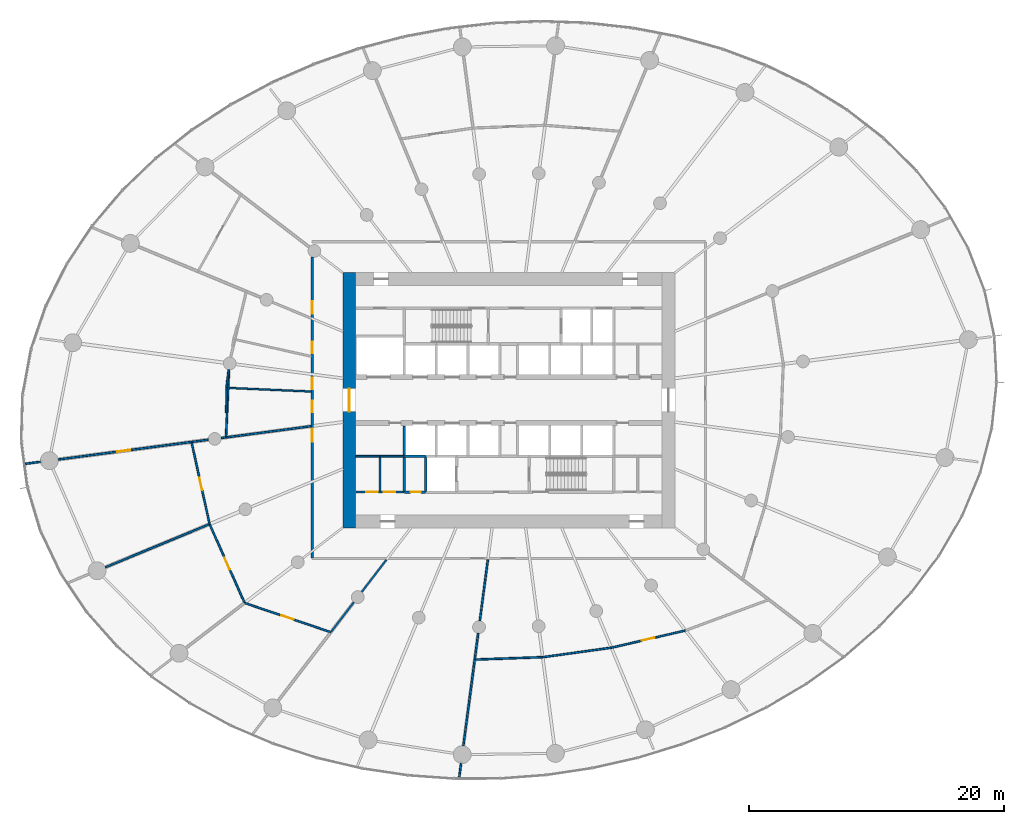
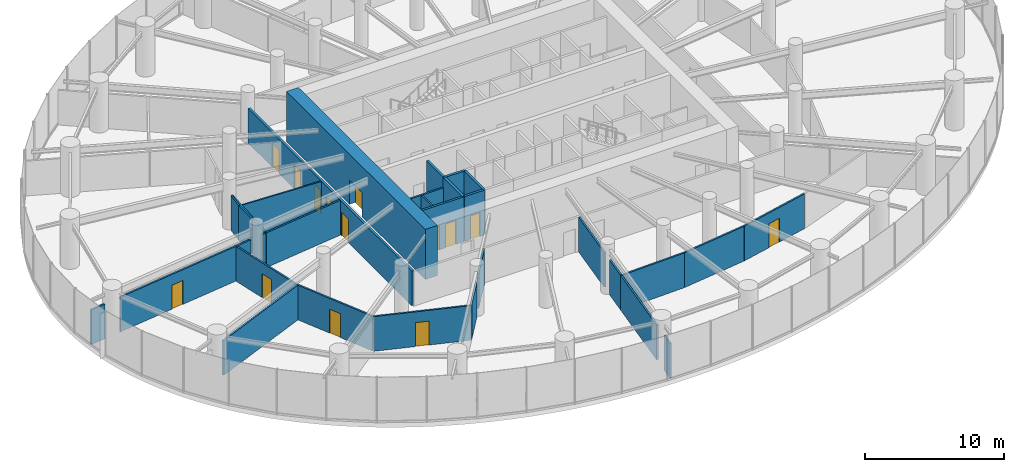
# One storey, part 11 of 18: 33 walls, 14 doors, 14 openings.
"""IFC4 building model written with IfcOpenShell, lengths in metres."""

from ifc_helpers import new_model, si_unit, direction, frame, frame_2d, origin, place, context, subcontext, project, spatial, rectangle, extrude, source, transform, mapped, material, layer, layer_set, type_object, element, fill, save


model = new_model("IFC4")

# Units and contexts
model_context = context("Model", 3, precision=1e-05, world=origin(), true_north=direction((0.0, 1.0)))
body_context = subcontext(model_context, "Body", "Model", "MODEL_VIEW")
ifc_project = project(units=[si_unit("LENGTHUNIT", "METRE"), si_unit("AREAUNIT", "SQUARE_METRE"), si_unit("VOLUMEUNIT", "CUBIC_METRE"), si_unit("PLANEANGLEUNIT", "RADIAN"), si_unit("MASSUNIT", "GRAM", prefix="KILO")], contexts=[model_context])

# Site, building, storey
site_placement = place(None, origin())
site = spatial("IfcSite", under=ifc_project, at=site_placement, CompositionType="ELEMENT")
building_placement = place(site_placement, origin())
building = spatial("IfcBuilding", under=site, at=building_placement, Name="Spindrift Exchange Tower", CompositionType="ELEMENT")
storey_placement = place(building_placement, frame((0.0, 0.0, 40.199951171875)))
storey = spatial("IfcBuildingStorey", under=building, at=storey_placement, Name="L09", CompositionType="ELEMENT", Elevation=40.199951171875)

# Wall, opening, door
ifc_material_1 = material(Name="Concrete 80 MPa", Category="concrete")
ifc_layer_1 = layer(ifc_material_1, 1.0)
ifc_layer_set_1 = layer_set([ifc_layer_1], Name="RC Core Wall 1000 Concrete 80 MPa")
wall_type_1 = type_object("IfcWallType", Name="RC Core Wall 1000 Concrete 80 MPa", PredefinedType="SHEAR", material=ifc_layer_set_1)
wall_1_placement = place(storey_placement, frame((39.5, 58.0, 0.0), z_axis=(0.0, 0.0, 1.0), x_axis=(0.0, -1.0, 0.0)))
wall_1 = element("IfcWall", 1, at=wall_1_placement, inside=storey, type_object=wall_type_1, Name="Core wall W L09", PredefinedType="SHEAR", context=body_context, shape_type="SweptSolid", body=[
    extrude(rectangle(XDim=20.0, YDim=1.0, at=frame_2d((10.0, 0.0))), origin(), (0.0, 0.0, 1.0), 4.400146484375),
])
opening_1_placement = place(wall_1_placement, frame((9.10009765625, 0.0, 0.0)))
opening_1 = element("IfcOpeningElement", 2, at=opening_1_placement, cuts=wall_1, Name="Opening L09-D1", PredefinedType="OPENING", context=body_context, shape_type="SweptSolid", body=[
    extrude(rectangle(XDim=1.800048828125, YDim=2.10009765625, at=frame_2d((0.89990234375, 1.050048828125))), frame((0.0, 0.510009765625, 0.0), z_axis=(0.0, -1.0, 0.0), x_axis=(1.0, 0.0, 0.0)), (0.0, 0.0, 1.0), 1.02001953125),
])
ifc_material_2 = material(Name="Timber-core fire door", Category="wood")
door_type_1 = type_object("IfcDoorType", Name="DR-LOBBY-1800", OperationType="NOTDEFINED", PredefinedType="DOOR", material=ifc_material_2)
shared_shape_1 = source(origin(), body_context, "Body", "SweptSolid", [
    extrude(rectangle(XDim=1.800048828125, YDim=2.10009765625, at=frame_2d((0.89990234375, 1.050048828125))), frame((0.0, 0.02490234375, 0.0), z_axis=(0.0, -1.0, 0.0), x_axis=(1.0, 0.0, 0.0)), (0.0, 0.0, 1.0), 0.050048828125),
])
door_1_placement = place(opening_1_placement, origin())
door_1 = element("IfcDoor", 3, at=door_1_placement, inside=storey, type_object=door_type_1, Name="L09 Lobby door 1", OperationType="SINGLE_SWING_RIGHT", OverallHeight=2.10009765625, OverallWidth=1.800048828125, PredefinedType="DOOR", context=body_context, shape_type="MappedRepresentation", body=[
    mapped(shared_shape_1, transform((0.0, 0.0, 0.0), scale=1.0)),
])
fill(opening_1, door_1)

# Wall, openings, doors
ifc_material_3 = material(Name="Fire-rated plasterboard partition", Category="gypsum")
ifc_layer_2 = layer(ifc_material_3, 0.179931640625)
ifc_layer_set_2 = layer_set([ifc_layer_2], Name="W-CORR-180")
wall_type_2 = type_object("IfcWallType", Name="W-CORR-180", PredefinedType="PARTITIONING", material=ifc_layer_set_2)
wall_2_placement = place(storey_placement, frame((40.02001953125, 40.800048828125, 0.0), z_axis=(0.0, 0.0, 1.0), x_axis=(1.0, 0.0, 0.0)))
wall_2 = element("IfcWall", 4, at=wall_2_placement, inside=storey, type_object=wall_type_2, Name="L09 Partition wall 61", PredefinedType="PARTITIONING", context=body_context, shape_type="SweptSolid", body=[
    extrude(rectangle(XDim=3.75, YDim=0.179931640625, at=frame_2d((1.875, 0.0))), origin(), (0.0, 0.0, 1.0), 3.949951171875),
])
opening_2_placement = place(wall_2_placement, frame((0.800048828125, 0.0, 0.0)))
opening_2 = element("IfcOpeningElement", 5, at=opening_2_placement, cuts=wall_2, Name="Opening L09-D46", PredefinedType="OPENING", context=body_context, shape_type="SweptSolid", body=[
    extrude(rectangle(XDim=0.89990234375, YDim=2.10009765625, at=frame_2d((0.449951171875, 1.050048828125))), frame((0.0, 0.099853515625, 0.0), z_axis=(0.0, -1.0, 0.0), x_axis=(1.0, 0.0, 0.0)), (0.0, 0.0, 1.0), 0.199951171875),
])
opening_3_placement = place(wall_2_placement, frame((2.199951171875, 0.0, 0.0)))
opening_3 = element("IfcOpeningElement", 6, at=opening_3_placement, cuts=wall_2, Name="Opening L09-D47", PredefinedType="OPENING", context=body_context, shape_type="SweptSolid", body=[
    extrude(rectangle(XDim=0.89990234375, YDim=2.10009765625, at=frame_2d((0.449951171875, 1.050048828125))), frame((0.0, 0.099853515625, 0.0), z_axis=(0.0, -1.0, 0.0), x_axis=(1.0, 0.0, 0.0)), (0.0, 0.0, 1.0), 0.199951171875),
])
ifc_material_4 = material(Name="Steel access door", Category="steel")
door_type_2 = type_object("IfcDoorType", Name="DR-RISER-900", OperationType="NOTDEFINED", PredefinedType="DOOR", material=ifc_material_4)
shared_shape_2 = source(origin(), body_context, "Body", "SweptSolid", [
    extrude(rectangle(XDim=0.89990234375, YDim=2.10009765625, at=frame_2d((0.449951171875, 1.050048828125))), frame((0.0, 0.02490234375, 0.0), z_axis=(0.0, -1.0, 0.0), x_axis=(1.0, 0.0, 0.0)), (0.0, 0.0, 1.0), 0.050048828125),
])
door_2_placement = place(opening_2_placement, origin())
door_2 = element("IfcDoor", 7, at=door_2_placement, inside=storey, type_object=door_type_2, Name="L09 Riser door 46", OperationType="SINGLE_SWING_LEFT", OverallHeight=2.10009765625, OverallWidth=0.89990234375, PredefinedType="DOOR", context=body_context, shape_type="MappedRepresentation", body=[
    mapped(shared_shape_2, transform((0.0, 0.0, 0.0), scale=1.0)),
])
fill(opening_2, door_2)
door_3_placement = place(opening_3_placement, origin())
door_3 = element("IfcDoor", 8, at=door_3_placement, inside=storey, type_object=door_type_2, Name="L09 Riser door 47", OperationType="SINGLE_SWING_RIGHT", OverallHeight=2.10009765625, OverallWidth=0.89990234375, PredefinedType="DOOR", context=body_context, shape_type="MappedRepresentation", body=[
    mapped(shared_shape_2, transform((0.0, 0.0, 0.0), scale=1.0)),
])
fill(opening_3, door_3)

# Wall, opening, door
ifc_layer_3 = layer(ifc_material_3, 0.139892578125)
ifc_layer_set_3 = layer_set([ifc_layer_3], Name="W-PART-140")
wall_type_3 = type_object("IfcWallType", Name="W-PART-140", PredefinedType="PARTITIONING", material=ifc_layer_set_3)
wall_3_placement = place(storey_placement, frame((16.707763671875, 43.353759765625, 0.0), z_axis=(0.0, 0.0, 1.0), x_axis=(0.991445294361, 0.130522903314, 0.0)))
wall_3 = element("IfcWall", 9, at=wall_3_placement, inside=storey, type_object=wall_type_3, Name="L09 Partition wall 66", PredefinedType="PARTITIONING", context=body_context, shape_type="SweptSolid", body=[
    extrude(rectangle(XDim=10.527099609375, YDim=0.139892578125, at=frame_2d((5.263671875, 0.0))), origin(), (0.0, 0.0, 1.0), 3.050048828125),
])
opening_4_placement = place(wall_3_placement, frame((4.677001953125, 0.0, 0.0)))
opening_4 = element("IfcOpeningElement", 10, at=opening_4_placement, cuts=wall_3, Name="Opening L09-D31", PredefinedType="OPENING", context=body_context, shape_type="SweptSolid", body=[
    extrude(rectangle(XDim=1.0, YDim=2.10009765625, at=frame_2d((0.5, 1.050048828125))), frame((0.0, 0.079833984375, 0.0), z_axis=(0.0, -1.0, 0.0), x_axis=(1.0, 0.0, 0.0)), (0.0, 0.0, 1.0), 0.159912109375),
])
door_type_3 = type_object("IfcDoorType", Name="DR-ROOM-1000", OperationType="NOTDEFINED", PredefinedType="DOOR", material=ifc_material_2)
shared_shape_3 = source(origin(), body_context, "Body", "SweptSolid", [
    extrude(rectangle(XDim=1.0, YDim=2.10009765625, at=frame_2d((0.5, 1.050048828125))), frame((0.0, 0.02490234375, 0.0), z_axis=(0.0, -1.0, 0.0), x_axis=(1.0, 0.0, 0.0)), (0.0, 0.0, 1.0), 0.050048828125),
])
door_4_placement = place(opening_4_placement, origin())
door_4 = element("IfcDoor", 11, at=door_4_placement, inside=storey, type_object=door_type_3, Name="L09 Door 31", OperationType="SINGLE_SWING_RIGHT", OverallHeight=2.10009765625, OverallWidth=1.0, PredefinedType="DOOR", context=body_context, shape_type="MappedRepresentation", body=[
    mapped(shared_shape_3, transform((0.0, 0.0, 0.0), scale=1.0)),
])
fill(opening_4, door_4)

# Wall
wall_4_placement = place(storey_placement, frame((28.56201171875, 38.291748046875, 0.0), z_axis=(0.0, 0.0, 1.0), x_axis=(-0.923878024318, -0.382687073445, 0.0)))
element("IfcWall", 12, at=wall_4_placement, inside=storey, type_object=wall_type_3, Name="L09 Partition wall 67", PredefinedType="PARTITIONING", context=body_context, shape_type="SweptSolid", body=[
    extrude(rectangle(XDim=8.83203125, YDim=0.139892578125, at=frame_2d((4.416015625, 0.0))), origin(), (0.0, 0.0, 1.0), 3.050048828125),
])

# Wall, opening, door
wall_5_placement = place(storey_placement, frame((38.054931640625, 29.826416015625, 0.0), z_axis=(0.0, 0.0, 1.0), x_axis=(-0.946877260645, 0.321595169854, 0.0)))
wall_5 = element("IfcWall", 13, at=wall_5_placement, inside=storey, type_object=wall_type_3, Name="L09 Partition wall 68", PredefinedType="PARTITIONING", context=body_context, shape_type="SweptSolid", body=[
    extrude(rectangle(XDim=7.1298828125, YDim=0.139892578125, at=frame_2d((3.56494140625, 0.0))), origin(), (0.0, 0.0, 1.0), 3.050048828125),
])
opening_5_placement = place(wall_5_placement, frame((3.079833984375, 0.0, 0.0)))
opening_5 = element("IfcOpeningElement", 14, at=opening_5_placement, cuts=wall_5, Name="Opening L09-D30", PredefinedType="OPENING", context=body_context, shape_type="SweptSolid", body=[
    extrude(rectangle(XDim=1.0, YDim=2.10009765625, at=frame_2d((0.5, 1.050048828125))), frame((0.0, 0.079833984375, 0.0), z_axis=(0.0, -1.0, 0.0), x_axis=(1.0, 0.0, 0.0)), (0.0, 0.0, 1.0), 0.159912109375),
])
door_5_placement = place(opening_5_placement, origin())
door_5 = element("IfcDoor", 15, at=door_5_placement, inside=storey, type_object=door_type_3, Name="L09 Door 30", OperationType="SINGLE_SWING_LEFT", OverallHeight=2.10009765625, OverallWidth=1.0, PredefinedType="DOOR", context=body_context, shape_type="MappedRepresentation", body=[
    mapped(shared_shape_3, transform((0.0, 0.0, 0.0), scale=1.0)),
])
fill(opening_5, door_5)

# Walls
wall_6_placement = place(storey_placement, frame((36.510009765625, 45.960693359375, 0.0), z_axis=(0.0, 0.0, 1.0), x_axis=(-0.991446999642, -0.130509949431, 0.0)))
element("IfcWall", 16, at=wall_6_placement, inside=storey, type_object=wall_type_3, Name="L09 Partition wall 71", PredefinedType="PARTITIONING", context=body_context, shape_type="SweptSolid", body=[
    extrude(rectangle(XDim=6.72119140625, YDim=0.139892578125, at=frame_2d((3.360595703125, 0.0))), origin(), (0.0, 0.0, 1.0), 3.050048828125),
])
wall_7_placement = place(storey_placement, frame((49.3251953125, 27.6826171875, 0.0), z_axis=(0.0, 0.0, 1.0), x_axis=(-0.130537120315, -0.991443422602, 0.0)))
element("IfcWall", 17, at=wall_7_placement, inside=storey, type_object=wall_type_3, Name="L09 Partition wall 72", PredefinedType="PARTITIONING", context=body_context, shape_type="SweptSolid", body=[
    extrude(rectangle(XDim=6.803955078125, YDim=0.139892578125, at=frame_2d((3.40185546875, 0.0))), origin(), (0.0, 0.0, 1.0), 3.050048828125),
])

# Wall, opening, door
wall_8_placement = place(storey_placement, frame((31.29150390625, 32.146484375, 0.0), z_axis=(0.0, 0.0, 1.0), x_axis=(-0.40591511996, 0.913910780869, 0.0)))
wall_8 = element("IfcWall", 18, at=wall_8_placement, inside=storey, type_object=wall_type_3, Name="L09 Partition wall 74", PredefinedType="PARTITIONING", context=body_context, shape_type="SweptSolid", body=[
    extrude(rectangle(XDim=6.6943359375, YDim=0.139892578125, at=frame_2d((3.34716796875, 0.0))), origin(), (0.0, 0.0, 1.0), 3.050048828125),
])
opening_6_placement = place(wall_8_placement, frame((2.843994140625, 0.0, 0.0)))
opening_6 = element("IfcOpeningElement", 19, at=opening_6_placement, cuts=wall_8, Name="Opening L09-D29", PredefinedType="OPENING", context=body_context, shape_type="SweptSolid", body=[
    extrude(rectangle(XDim=1.0, YDim=2.10009765625, at=frame_2d((0.5, 1.050048828125))), frame((0.0, 0.079833984375, 0.0), z_axis=(0.0, -1.0, 0.0), x_axis=(1.0, 0.0, 0.0)), (0.0, 0.0, 1.0), 0.159912109375),
])
door_6_placement = place(opening_6_placement, origin())
door_6 = element("IfcDoor", 20, at=door_6_placement, inside=storey, type_object=door_type_3, Name="L09 Door 29", OperationType="SINGLE_SWING_RIGHT", OverallHeight=2.10009765625, OverallWidth=1.0, PredefinedType="DOOR", context=body_context, shape_type="MappedRepresentation", body=[
    mapped(shared_shape_3, transform((0.0, 0.0, 0.0), scale=1.0)),
])
fill(opening_6, door_6)

wall_9_placement = place(storey_placement, frame((28.5556640625, 38.321044921875, 0.0), z_axis=(0.0, 0.0, 1.0), x_axis=(-0.21508144295, 0.976596115546, 0.0)))
wall_9 = element("IfcWall", 21, at=wall_9_placement, inside=storey, type_object=wall_type_3, Name="L09 Partition wall 76", PredefinedType="PARTITIONING", context=body_context, shape_type="SweptSolid", body=[
    extrude(rectangle(XDim=6.5302734375, YDim=0.139892578125, at=frame_2d((3.26513671875, 0.0))), origin(), (0.0, 0.0, 1.0), 3.050048828125),
])
opening_7_placement = place(wall_9_placement, frame((2.680419921875, 0.0, 0.0)))
opening_7 = element("IfcOpeningElement", 22, at=opening_7_placement, cuts=wall_9, Name="Opening L09-D28", PredefinedType="OPENING", context=body_context, shape_type="SweptSolid", body=[
    extrude(rectangle(XDim=1.0, YDim=2.10009765625, at=frame_2d((0.5, 1.050048828125))), frame((0.0, 0.079833984375, 0.0), z_axis=(0.0, -1.0, 0.0), x_axis=(1.0, 0.0, 0.0)), (0.0, 0.0, 1.0), 0.159912109375),
])
door_7_placement = place(opening_7_placement, origin())
door_7 = element("IfcDoor", 23, at=door_7_placement, inside=storey, type_object=door_type_3, Name="L09 Door 28", OperationType="SINGLE_SWING_LEFT", OverallHeight=2.10009765625, OverallWidth=1.0, PredefinedType="DOOR", context=body_context, shape_type="MappedRepresentation", body=[
    mapped(shared_shape_3, transform((0.0, 0.0, 0.0), scale=1.0)),
])
fill(opening_7, door_7)

wall_10_placement = place(storey_placement, frame((65.810302734375, 29.95703125, 0.0), z_axis=(0.0, 0.0, 1.0), x_axis=(-0.974024489501, -0.226442694412, 0.0)))
wall_10 = element("IfcWall", 24, at=wall_10_placement, inside=storey, type_object=wall_type_3, Name="L09 Partition wall 78", PredefinedType="PARTITIONING", context=body_context, shape_type="SweptSolid", body=[
    extrude(rectangle(XDim=5.93408203125, YDim=0.139892578125, at=frame_2d((2.967041015625, 0.0))), origin(), (0.0, 0.0, 1.0), 3.050048828125),
])
opening_8_placement = place(wall_10_placement, frame((2.484375, 0.0, 0.0)))
opening_8 = element("IfcOpeningElement", 25, at=opening_8_placement, cuts=wall_10, Name="Opening L09-D34", PredefinedType="OPENING", context=body_context, shape_type="SweptSolid", body=[
    extrude(rectangle(XDim=1.0, YDim=2.10009765625, at=frame_2d((0.5, 1.050048828125))), frame((0.0, 0.079833984375, 0.0), z_axis=(0.0, -1.0, 0.0), x_axis=(1.0, 0.0, 0.0)), (0.0, 0.0, 1.0), 0.159912109375),
])
door_8_placement = place(opening_8_placement, origin())
door_8 = element("IfcDoor", 26, at=door_8_placement, inside=storey, type_object=door_type_3, Name="L09 Door 34", OperationType="SINGLE_SWING_LEFT", OverallHeight=2.10009765625, OverallWidth=1.0, PredefinedType="DOOR", context=body_context, shape_type="MappedRepresentation", body=[
    mapped(shared_shape_3, transform((0.0, 0.0, 0.0), scale=1.0)),
])
fill(opening_8, door_8)

# Walls
wall_11_placement = place(storey_placement, frame((54.64990234375, 27.871337890625, 0.0), z_axis=(0.0, 0.0, 1.0), x_axis=(0.990620496316, 0.13664198578, 0.0)))
element("IfcWall", 27, at=wall_11_placement, inside=storey, type_object=wall_type_3, Name="L09 Partition wall 87", PredefinedType="PARTITIONING", context=body_context, shape_type="SweptSolid", body=[
    extrude(rectangle(XDim=5.4013671875, YDim=0.139892578125, at=frame_2d((2.70068359375, 0.0))), origin(), (0.0, 0.0, 1.0), 3.050048828125),
])
wall_12_placement = place(storey_placement, frame((49.35498046875, 27.68359375, 0.0), z_axis=(0.0, 0.0, 1.0), x_axis=(0.999371443886, 0.035450206555, 0.0)))
element("IfcWall", 28, at=wall_12_placement, inside=storey, type_object=wall_type_3, Name="L09 Partition wall 88", PredefinedType="PARTITIONING", context=body_context, shape_type="SweptSolid", body=[
    extrude(rectangle(XDim=5.2685546875, YDim=0.139892578125, at=frame_2d((2.63427734375, 0.0))), origin(), (0.0, 0.0, 1.0), 3.050048828125),
])
wall_13_placement = place(storey_placement, frame((30.080078125, 50.376708984375, 0.0), z_axis=(0.0, 0.0, 1.0), x_axis=(-0.044134411389, -0.99902560214, 0.0)))
element("IfcWall", 29, at=wall_13_placement, inside=storey, type_object=wall_type_3, Name="L09 Partition wall 90", PredefinedType="PARTITIONING", context=body_context, shape_type="SweptSolid", body=[
    extrude(rectangle(XDim=5.2275390625, YDim=0.139892578125, at=frame_2d((2.61376953125, 0.0))), origin(), (0.0, 0.0, 1.0), 3.050048828125),
])
wall_14_placement = place(storey_placement, frame((50.355712890625, 35.510009765625, 0.0), z_axis=(0.0, 0.0, 1.0), x_axis=(-0.130523979823, -0.991445152639, 0.0)))
element("IfcWall", 30, at=wall_14_placement, inside=storey, type_object=wall_type_3, Name="L09 Partition wall 96", PredefinedType="PARTITIONING", context=body_context, shape_type="SweptSolid", body=[
    extrude(rectangle(XDim=4.818359375, YDim=0.139892578125, at=frame_2d((2.4091796875, 0.0))), origin(), (0.0, 0.0, 1.0), 3.050048828125),
])
wall_15_placement = place(storey_placement, frame((42.416015625, 35.510009765625, 0.0), z_axis=(0.0, 0.0, 1.0), x_axis=(-0.60874605662, -0.793365135703, 0.0)))
element("IfcWall", 31, at=wall_15_placement, inside=storey, type_object=wall_type_3, Name="L09 Partition wall 105", PredefinedType="PARTITIONING", context=body_context, shape_type="SweptSolid", body=[
    extrude(rectangle(XDim=3.193603515625, YDim=0.139892578125, at=frame_2d((1.5966796875, 0.0))), origin(), (0.0, 0.0, 1.0), 3.050048828125),
])
wall_16_placement = place(storey_placement, frame((39.85791015625, 32.176025390625, 0.0), z_axis=(0.0, 0.0, 1.0), x_axis=(-0.608796847525, -0.793326161452, 0.0)))
element("IfcWall", 32, at=wall_16_placement, inside=storey, type_object=wall_type_3, Name="L09 Partition wall 106", PredefinedType="PARTITIONING", context=body_context, shape_type="SweptSolid", body=[
    extrude(rectangle(XDim=2.931884765625, YDim=0.139892578125, at=frame_2d((1.4658203125, 0.0))), origin(), (0.0, 0.0, 1.0), 3.050048828125),
])
wall_17_placement = place(storey_placement, frame((41.89990234375, 40.889892578125, 0.0), z_axis=(0.0, 0.0, 1.0), x_axis=(0.0, 1.0, 0.0)))
element("IfcWall", 33, at=wall_17_placement, inside=storey, type_object=wall_type_3, Name="L09 Partition wall 108", PredefinedType="PARTITIONING", context=body_context, shape_type="SweptSolid", body=[
    extrude(rectangle(XDim=2.710205078125, YDim=0.139892578125, at=frame_2d((1.35498046875, 0.0))), origin(), (0.0, 0.0, 1.0), 3.050048828125),
])
wall_18_placement = place(storey_placement, frame((49.594970703125, 29.732666015625, 0.0), z_axis=(0.0, 0.0, 1.0), x_axis=(-0.130476207722, -0.991451440676, 0.0)))
element("IfcWall", 34, at=wall_18_placement, inside=storey, type_object=wall_type_3, Name="L09 Partition wall 115", PredefinedType="PARTITIONING", context=body_context, shape_type="SweptSolid", body=[
    extrude(rectangle(XDim=2.03759765625, YDim=0.139892578125, at=frame_2d((1.018798828125, 0.0))), origin(), (0.0, 0.0, 1.0), 3.050048828125),
])
wall_19_placement = place(storey_placement, frame((43.77001953125, 43.60009765625, 0.0), z_axis=(0.0, 0.0, 1.0), x_axis=(-1.0, 0.0, 0.0)))
element("IfcWall", 35, at=wall_19_placement, inside=storey, type_object=wall_type_3, Name="L09 Partition wall 117", PredefinedType="PARTITIONING", context=body_context, shape_type="SweptSolid", body=[
    extrude(rectangle(XDim=1.840087890625, YDim=0.139892578125, at=frame_2d((0.919921875, 0.0))), origin(), (0.0, 0.0, 1.0), 3.050048828125),
])
wall_20_placement = place(storey_placement, frame((41.8701171875, 43.60009765625, 0.0), z_axis=(0.0, 0.0, 1.0), x_axis=(-1.0, 0.0, 0.0)))
element("IfcWall", 36, at=wall_20_placement, inside=storey, type_object=wall_type_3, Name="L09 Partition wall 120", PredefinedType="PARTITIONING", context=body_context, shape_type="SweptSolid", body=[
    extrude(rectangle(XDim=1.85009765625, YDim=0.139892578125, at=frame_2d((0.925048828125, 0.0))), origin(), (0.0, 0.0, 1.0), 3.050048828125),
])
wall_21_placement = place(storey_placement, frame((28.466064453125, 44.901611328125, 0.0), z_axis=(0.0, 0.0, 1.0), x_axis=(-0.991458759568, -0.130420581489, 0.0)))
element("IfcWall", 37, at=wall_21_placement, inside=storey, type_object=wall_type_3, Name="L09 Partition wall 127", PredefinedType="PARTITIONING", context=body_context, shape_type="SweptSolid", body=[
    extrude(rectangle(XDim=1.302978515625, YDim=0.139892578125, at=frame_2d((0.6513671875, 0.0))), origin(), (0.0, 0.0, 1.0), 3.050048828125),
])
wall_22_placement = place(storey_placement, frame((15.311279296875, 43.169921875, 0.0), z_axis=(0.0, 0.0, 1.0), x_axis=(-0.991444195162, -0.130531252505, 0.0)))
element("IfcWall", 38, at=wall_22_placement, inside=storey, type_object=wall_type_3, Name="L09 Partition wall 128", PredefinedType="PARTITIONING", context=body_context, shape_type="SweptSolid", body=[
    extrude(rectangle(XDim=1.234375, YDim=0.139892578125, at=frame_2d((0.6171875, 0.0))), origin(), (0.0, 0.0, 1.0), 3.050048828125),
])
wall_23_placement = place(storey_placement, frame((48.253173828125, 19.540283203125, 0.0), z_axis=(0.0, 0.0, 1.0), x_axis=(-0.130414214124, -0.991459597137, 0.0)))
element("IfcWall", 39, at=wall_23_placement, inside=storey, type_object=wall_type_3, Name="L09 Partition wall 131", PredefinedType="PARTITIONING", context=body_context, shape_type="SweptSolid", body=[
    extrude(rectangle(XDim=1.096923828125, YDim=0.139892578125, at=frame_2d((0.54833984375, 0.0))), origin(), (0.0, 0.0, 1.0), 3.050048828125),
])
wall_24_placement = place(storey_placement, frame((29.81640625, 45.07958984375, 0.0), z_axis=(0.0, 0.0, 1.0), x_axis=(-0.99142603388, -0.13066912162, 0.0)))
element("IfcWall", 40, at=wall_24_placement, inside=storey, type_object=wall_type_3, Name="L09 Partition wall 134", PredefinedType="PARTITIONING", context=body_context, shape_type="SweptSolid", body=[
    extrude(rectangle(XDim=0.35302734375, YDim=0.139892578125, at=frame_2d((0.176513671875, 0.0))), origin(), (0.0, 0.0, 1.0), 3.050048828125),
])

# Wall, openings, doors
ifc_layer_4 = layer(ifc_material_3, 0.179931640625)
ifc_layer_set_4 = layer_set([ifc_layer_4], Name="W-PLANT-180")
wall_type_4 = type_object("IfcWallType", Name="W-PLANT-180", PredefinedType="PARTITIONING", material=ifc_layer_set_4)
wall_25_placement = place(storey_placement, frame((36.60009765625, 35.6298828125, 0.0), z_axis=(0.0, 0.0, 1.0), x_axis=(0.0, 1.0, 0.0)))
wall_25 = element("IfcWall", 41, at=wall_25_placement, inside=storey, type_object=wall_type_4, Name="L09 Partition wall 60", PredefinedType="PARTITIONING", context=body_context, shape_type="SweptSolid", body=[
    extrude(rectangle(XDim=23.58251953125, YDim=0.179931640625, at=frame_2d((11.791259765625, 0.0))), origin(), (0.0, 0.0, 1.0), 3.050048828125),
])
opening_9_placement = place(wall_25_placement, frame((16.032470703125, 0.0, 0.0)))
opening_9 = element("IfcOpeningElement", 42, at=opening_9_placement, cuts=wall_25, Name="Opening L09-D24", PredefinedType="OPENING", context=body_context, shape_type="SweptSolid", body=[
    extrude(rectangle(XDim=0.89990234375, YDim=2.10009765625, at=frame_2d((0.449951171875, 1.050048828125))), frame((0.0, 0.099853515625, 0.0), z_axis=(0.0, -1.0, 0.0), x_axis=(1.0, 0.0, 0.0)), (0.0, 0.0, 1.0), 0.199951171875),
])
opening_10_placement = place(wall_25_placement, frame((13.232421875, 0.0, 0.0)))
opening_10 = element("IfcOpeningElement", 43, at=opening_10_placement, cuts=wall_25, Name="Opening L09-D25", PredefinedType="OPENING", context=body_context, shape_type="SweptSolid", body=[
    extrude(rectangle(XDim=0.89990234375, YDim=2.10009765625, at=frame_2d((0.449951171875, 1.050048828125))), frame((0.0, 0.099853515625, 0.0), z_axis=(0.0, -1.0, 0.0), x_axis=(1.0, 0.0, 0.0)), (0.0, 0.0, 1.0), 0.199951171875),
])
opening_11_placement = place(wall_25_placement, frame((11.4326171875, 0.0, 0.0)))
opening_11 = element("IfcOpeningElement", 44, at=opening_11_placement, cuts=wall_25, Name="Opening L09-D26", PredefinedType="OPENING", context=body_context, shape_type="SweptSolid", body=[
    extrude(rectangle(XDim=0.89990234375, YDim=2.10009765625, at=frame_2d((0.449951171875, 1.050048828125))), frame((0.0, 0.099853515625, 0.0), z_axis=(0.0, -1.0, 0.0), x_axis=(1.0, 0.0, 0.0)), (0.0, 0.0, 1.0), 0.199951171875),
])
opening_12_placement = place(wall_25_placement, frame((9.132568359375, 0.0, 0.0)))
opening_12 = element("IfcOpeningElement", 45, at=opening_12_placement, cuts=wall_25, Name="Opening L09-D27", PredefinedType="OPENING", context=body_context, shape_type="SweptSolid", body=[
    extrude(rectangle(XDim=1.0, YDim=2.10009765625, at=frame_2d((0.5, 1.050048828125))), frame((0.0, 0.099853515625, 0.0), z_axis=(0.0, -1.0, 0.0), x_axis=(1.0, 0.0, 0.0)), (0.0, 0.0, 1.0), 0.199951171875),
])
opening_13_placement = place(wall_25_placement, frame((19.132568359375, 0.0, 0.0)))
opening_13 = element("IfcOpeningElement", 46, at=opening_13_placement, cuts=wall_25, Name="Opening L09-D43", PredefinedType="OPENING", context=body_context, shape_type="SweptSolid", body=[
    extrude(rectangle(XDim=1.0, YDim=2.10009765625, at=frame_2d((0.5, 1.050048828125))), frame((0.0, 0.099853515625, 0.0), z_axis=(0.0, -1.0, 0.0), x_axis=(1.0, 0.0, 0.0)), (0.0, 0.0, 1.0), 0.199951171875),
])
door_9_placement = place(opening_12_placement, origin())
door_9 = element("IfcDoor", 47, at=door_9_placement, inside=storey, type_object=door_type_3, Name="L09 Door 27", OperationType="SINGLE_SWING_RIGHT", OverallHeight=2.10009765625, OverallWidth=1.0, PredefinedType="DOOR", context=body_context, shape_type="MappedRepresentation", body=[
    mapped(shared_shape_3, transform((0.0, 0.0, 0.0), scale=1.0)),
])
fill(opening_12, door_9)
door_10_placement = place(opening_13_placement, origin())
door_10 = element("IfcDoor", 48, at=door_10_placement, inside=storey, type_object=door_type_3, Name="L09 Door 43", OperationType="SINGLE_SWING_RIGHT", OverallHeight=2.10009765625, OverallWidth=1.0, PredefinedType="DOOR", context=body_context, shape_type="MappedRepresentation", body=[
    mapped(shared_shape_3, transform((0.0, 0.0, 0.0), scale=1.0)),
])
fill(opening_13, door_10)
ifc_material_5 = material(Name="Laminate washroom door", Category="wood")
door_type_4 = type_object("IfcDoorType", Name="DR-WC-900", OperationType="NOTDEFINED", PredefinedType="DOOR", material=ifc_material_5)
shared_shape_4 = source(origin(), body_context, "Body", "SweptSolid", [
    extrude(rectangle(XDim=0.89990234375, YDim=2.10009765625, at=frame_2d((0.449951171875, 1.050048828125))), frame((0.0, 0.02490234375, 0.0), z_axis=(0.0, -1.0, 0.0), x_axis=(1.0, 0.0, 0.0)), (0.0, 0.0, 1.0), 0.050048828125),
])
door_11_placement = place(opening_9_placement, origin())
door_11 = element("IfcDoor", 49, at=door_11_placement, inside=storey, type_object=door_type_4, Name="L09 WC door 24", OperationType="SINGLE_SWING_LEFT", OverallHeight=2.10009765625, OverallWidth=0.89990234375, PredefinedType="DOOR", context=body_context, shape_type="MappedRepresentation", body=[
    mapped(shared_shape_4, transform((0.0, 0.0, 0.0), scale=1.0)),
])
fill(opening_9, door_11)
door_12_placement = place(opening_10_placement, origin())
door_12 = element("IfcDoor", 50, at=door_12_placement, inside=storey, type_object=door_type_4, Name="L09 WC door 25", OperationType="SINGLE_SWING_RIGHT", OverallHeight=2.10009765625, OverallWidth=0.89990234375, PredefinedType="DOOR", context=body_context, shape_type="MappedRepresentation", body=[
    mapped(shared_shape_4, transform((0.0, 0.0, 0.0), scale=1.0)),
])
fill(opening_10, door_12)
door_13_placement = place(opening_11_placement, origin())
door_13 = element("IfcDoor", 51, at=door_13_placement, inside=storey, type_object=door_type_4, Name="L09 WC door 26", OperationType="SINGLE_SWING_LEFT", OverallHeight=2.10009765625, OverallWidth=0.89990234375, PredefinedType="DOOR", context=body_context, shape_type="MappedRepresentation", body=[
    mapped(shared_shape_4, transform((0.0, 0.0, 0.0), scale=1.0)),
])
fill(opening_11, door_13)

# Walls
ifc_material_6 = material(Name="Concrete 40 MPa", Category="concrete")
ifc_layer_5 = layer(ifc_material_6, 0.199951171875)
ifc_layer_set_5 = layer_set([ifc_layer_5], Name="W-SHAFT-200")
wall_type_5 = type_object("IfcWallType", Name="W-SHAFT-200", PredefinedType="SOLIDWALL", material=ifc_layer_set_5)
for number, where, z_axis, x_axis, name in (
    (52, (43.800048828125, 43.60009765625, 0.0), (0.0, 0.0, 1.0), (0.0, -1.0, 0.0), "L09 Shaft wall 6"),
    (53, (45.5, 43.60009765625, 0.0), (0.0, 0.0, 1.0), (0.0, -1.0, 0.0), "L09 Shaft wall 7"),
):
    element("IfcWall", number, at=place(storey_placement, frame(where, z_axis=z_axis, x_axis=x_axis)), inside=storey, type_object=wall_type_5, Name=name, PredefinedType="SOLIDWALL", context=body_context, shape_type="SweptSolid", body=[
        extrude(rectangle(XDim=2.800048828125, YDim=0.199951171875, at=frame_2d((1.39990234375, 0.0))), origin(), (0.0, 0.0, 1.0), 3.949951171875),
    ])
wall_26_placement = place(storey_placement, frame((43.800048828125, 45.989990234375, 0.0), z_axis=(0.0, 0.0, 1.0), x_axis=(0.0, -1.0, 0.0)))
element("IfcWall", 54, at=wall_26_placement, inside=storey, type_object=wall_type_5, Name="L09 Shaft wall 23", PredefinedType="SOLIDWALL", context=body_context, shape_type="SweptSolid", body=[
    extrude(rectangle(XDim=2.360107421875, YDim=0.199951171875, at=frame_2d((1.18017578125, 0.0))), origin(), (0.0, 0.0, 1.0), 3.949951171875),
])
wall_27_placement = place(storey_placement, frame((43.830078125, 43.60009765625, 0.0), z_axis=(0.0, 0.0, 1.0), x_axis=(1.0, 0.0, 0.0)))
element("IfcWall", 55, at=wall_27_placement, inside=storey, type_object=wall_type_5, Name="L09 Shaft wall 40", PredefinedType="SOLIDWALL", context=body_context, shape_type="SweptSolid", body=[
    extrude(rectangle(XDim=1.639892578125, YDim=0.199951171875, at=frame_2d((0.81982421875, 0.0))), origin(), (0.0, 0.0, 1.0), 3.949951171875),
])

# Wall, opening, door
wall_28_placement = place(storey_placement, frame((43.830078125, 40.800048828125, 0.0), z_axis=(0.0, 0.0, 1.0), x_axis=(1.0, 0.0, 0.0)))
wall_28 = element("IfcWall", 56, at=wall_28_placement, inside=storey, type_object=wall_type_5, Name="L09 Shaft wall 41", PredefinedType="SOLIDWALL", context=body_context, shape_type="SweptSolid", body=[
    extrude(rectangle(XDim=1.639892578125, YDim=0.199951171875, at=frame_2d((0.81982421875, 0.0))), origin(), (0.0, 0.0, 1.0), 3.949951171875),
])
opening_14_placement = place(wall_28_placement, frame((0.469970703125, 0.0, 0.0)))
opening_14 = element("IfcOpeningElement", 57, at=opening_14_placement, cuts=wall_28, Name="Opening L09-D19", PredefinedType="OPENING", context=body_context, shape_type="SweptSolid", body=[
    extrude(rectangle(XDim=0.800048828125, YDim=2.10009765625, at=frame_2d((0.39990234375, 1.050048828125))), frame((0.0, 0.10986328125, 0.0), z_axis=(0.0, -1.0, 0.0), x_axis=(1.0, 0.0, 0.0)), (0.0, 0.0, 1.0), 0.219970703125),
])
door_type_5 = type_object("IfcDoorType", Name="DR-RISER-800", OperationType="NOTDEFINED", PredefinedType="DOOR", material=ifc_material_4)
shared_shape_5 = source(origin(), body_context, "Body", "SweptSolid", [
    extrude(rectangle(XDim=0.800048828125, YDim=2.10009765625, at=frame_2d((0.39990234375, 1.050048828125))), frame((0.0, 0.02490234375, 0.0), z_axis=(0.0, -1.0, 0.0), x_axis=(1.0, 0.0, 0.0)), (0.0, 0.0, 1.0), 0.050048828125),
])
door_14_placement = place(opening_14_placement, origin())
door_14 = element("IfcDoor", 58, at=door_14_placement, inside=storey, type_object=door_type_5, Name="L09 Riser door 19", OperationType="SINGLE_SWING_RIGHT", OverallHeight=2.10009765625, OverallWidth=0.800048828125, PredefinedType="DOOR", context=body_context, shape_type="MappedRepresentation", body=[
    mapped(shared_shape_5, transform((0.0, 0.0, 0.0), scale=1.0)),
])
fill(opening_14, door_14)

# Walls
ifc_layer_6 = layer(ifc_material_3, 0.1201171875)
ifc_layer_set_6 = layer_set([ifc_layer_6], Name="W-WET-120")
wall_type_6 = type_object("IfcWallType", Name="W-WET-120", PredefinedType="PARTITIONING", material=ifc_layer_set_6)
wall_29_placement = place(storey_placement, frame((36.510009765625, 48.67626953125, 0.0), z_axis=(0.0, 0.0, 1.0), x_axis=(-0.99904754033, 0.043634987792, 0.0)))
element("IfcWall", 59, at=wall_29_placement, inside=storey, type_object=wall_type_6, Name="L09 Partition wall 135", PredefinedType="PARTITIONING", context=body_context, shape_type="SweptSolid", body=[
    extrude(rectangle(XDim=6.4287109375, YDim=0.1201171875, at=frame_2d((3.21435546875, 0.0))), origin(), (0.0, 0.0, 1.0), 3.050048828125),
])
wall_30_placement = place(storey_placement, frame((29.8779296875, 48.9658203125, 0.0), z_axis=(0.0, 0.0, 1.0), x_axis=(-0.008193346553, -0.999966433973, 0.0)))
element("IfcWall", 60, at=wall_30_placement, inside=storey, type_object=wall_type_6, Name="L09 Partition wall 137", PredefinedType="PARTITIONING", context=body_context, shape_type="SweptSolid", body=[
    extrude(rectangle(XDim=1.936767578125, YDim=0.1201171875, at=frame_2d((0.96826171875, 0.0))), origin(), (0.0, 0.0, 1.0), 3.050048828125),
])
wall_31_placement = place(storey_placement, frame((30.043701171875, 50.382080078125, 0.0), z_axis=(0.0, 0.0, 1.0), x_axis=(-0.116303421497, -0.993213730346, 0.0)))
element("IfcWall", 61, at=wall_31_placement, inside=storey, type_object=wall_type_6, Name="L09 Partition wall 139", PredefinedType="PARTITIONING", context=body_context, shape_type="SweptSolid", body=[
    extrude(rectangle(XDim=1.39599609375, YDim=0.1201171875, at=frame_2d((0.697998046875, 0.0))), origin(), (0.0, 0.0, 1.0), 3.050048828125),
])

save(model, "model.ifc")
